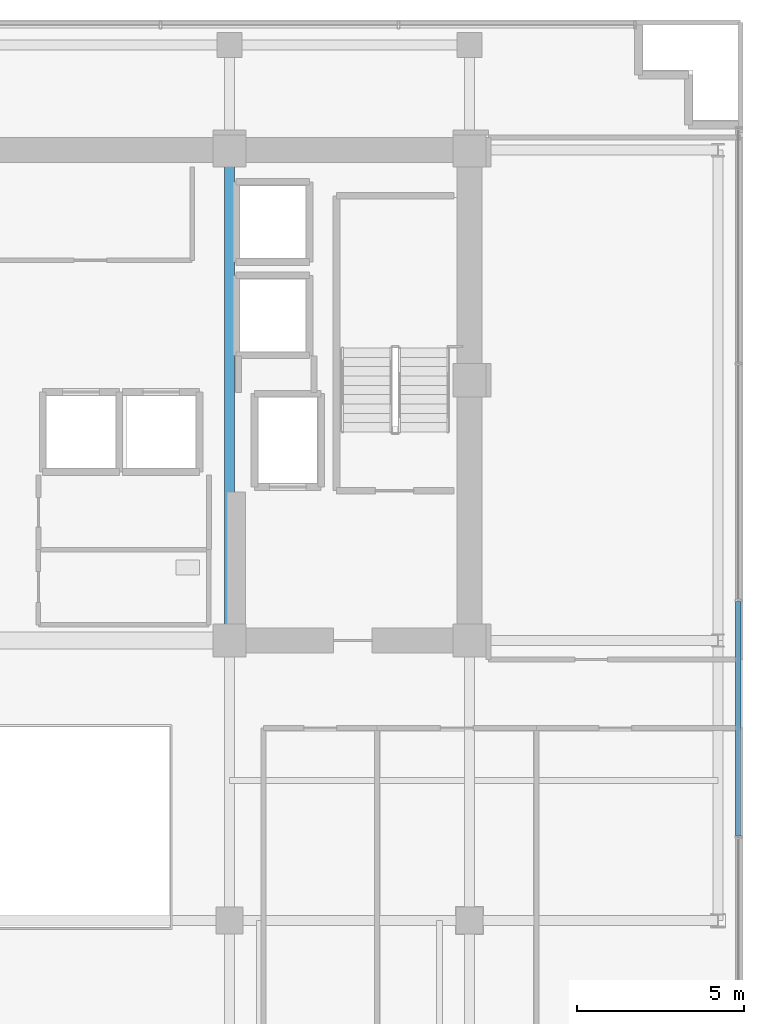
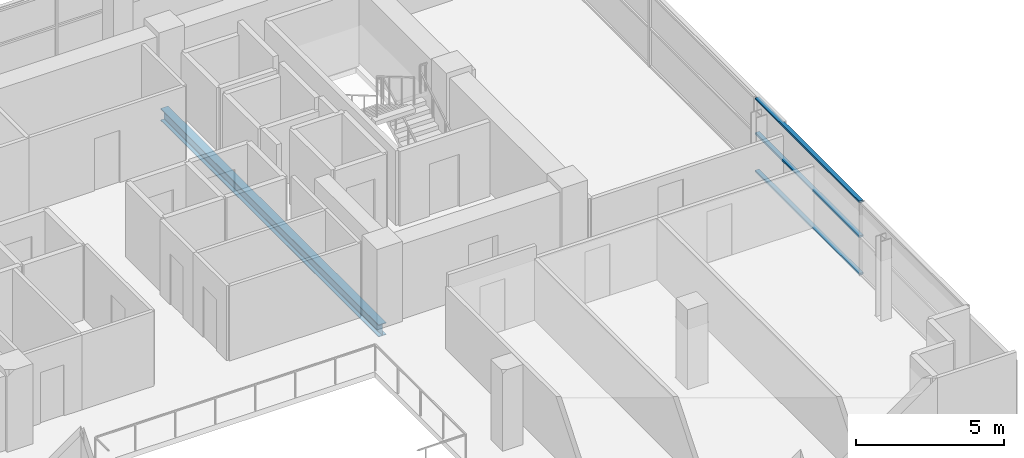
# One storey, part 7 of 21: 3 members, 1 beam, 1 element without a shape of its own.
"""IFC4 building model written with IfcOpenShell, lengths in metres."""

from ifc_helpers import new_model, si_unit, direction, frame, origin, origin_2d, place, context, subcontext, project, spatial, hollow_rectangle, i_section, extrude, source, transform, mapped, material, layer, layer_set, material_profile, profile_set, type_object, element, aggregate, save


model = new_model("IFC4")

# Units and contexts
model_context = context("Model", 3, precision=1e-05, world=origin(), true_north=direction((0.0, 1.0)))
body_context = subcontext(model_context, "Body", "Model", "MODEL_VIEW")
ifc_project = project(units=[si_unit("LENGTHUNIT", "METRE"), si_unit("AREAUNIT", "SQUARE_METRE"), si_unit("VOLUMEUNIT", "CUBIC_METRE"), si_unit("PLANEANGLEUNIT", "RADIAN"), si_unit("MASSUNIT", "GRAM", prefix="KILO")], contexts=[model_context])

# Site, building, storey
site_placement = place(None, origin())
site = spatial("IfcSite", under=ifc_project, at=site_placement, CompositionType="ELEMENT")
building_placement = place(site_placement, origin())
building = spatial("IfcBuilding", under=site, at=building_placement, Name="Zarnakvel Exchange Tower", CompositionType="ELEMENT")
storey_placement = place(building_placement, frame((0.0, 0.0, 152.800048828125)))
storey = spatial("IfcBuildingStorey", under=building, at=storey_placement, Name="L42", CompositionType="ELEMENT", Elevation=152.800048828125)

# Beam
ifc_material_1 = material(Name="Steel S355", Category="steel")
ifc_material_profile_1 = material_profile(ifc_material_1, i_section(OverallWidth=0.300048828125, OverallDepth=0.5, WebThickness=0.014404296875, FlangeThickness=0.028076171875, FilletRadius=0.027099609375, at=origin_2d()))
ifc_profile_set_1 = profile_set([ifc_material_profile_1], Name="Steel S355")
beam_type = type_object("IfcBeamType", Name="G-06", PredefinedType="BEAM", material=ifc_profile_set_1)
beam_placement = place(storey_placement, frame((7.199951171875, -1.199951171875, -0.47509765625), z_axis=(0.0, 1.0, 0.0), x_axis=(-1.0, 0.0, 0.0)))
element("IfcBeam", 1, at=beam_placement, inside=storey, type_object=beam_type, Name="L42 Tower N-S Frame Beam", PredefinedType="BEAM", context=body_context, shape_type="SweptSolid", body=[
    extrude(i_section(OverallWidth=0.300048828125, OverallDepth=0.5, WebThickness=0.014404296875, FlangeThickness=0.028076171875, FilletRadius=0.027099609375, at=origin_2d()), origin(), (0.0, 0.0, 1.0), 14.699951171875),
])

# Curtain wall, members
ifc_material_2 = material(Name="Architectural Bronze Anodised Aluminium", Category="aluminium")
ifc_layer = layer(ifc_material_2, 0.199951171875)
ifc_layer_set = layer_set([ifc_layer], Name="Architectural Bronze Anodised Aluminium")
curtain_wall_type = type_object("IfcCurtainWallType", Name="CW-04", PredefinedType="NOTDEFINED", material=ifc_layer_set)
curtain_wall_placement = place(storey_placement, origin())
curtain_wall = element("IfcCurtainWall", 2, at=curtain_wall_placement, inside=storey, type_object=curtain_wall_type, Name="L42 Curtain Wall CW-L42-E1 (CW-04)", PredefinedType="NOTDEFINED")
ifc_material_profile_2 = material_profile(ifc_material_2, hollow_rectangle(XDim=0.159912109375, YDim=0.074951171875, WallThickness=0.00390625, at=origin_2d()))
ifc_profile_set_2 = profile_set([ifc_material_profile_2], Name="Architectural Bronze Anodised Aluminium")
member_type = type_object("IfcMemberType", Name="CWT-04", PredefinedType="USERDEFINED", material=ifc_profile_set_2)
shared_shape = source(origin(), body_context, "Body", "SweptSolid", [
    extrude(hollow_rectangle(XDim=0.159912109375, YDim=0.074951171875, WallThickness=0.00390625, at=origin_2d()), origin(), (0.0, 0.0, 1.0), 7.02490234375),
])
member_1_placement = place(storey_placement, frame((22.4599609375, -7.0625, 0.037353515625), z_axis=(0.0, 1.0, 0.0), x_axis=(-1.0, 0.0, 0.0)))
member_1 = element("IfcMember", 3, at=member_1_placement, type_object=member_type, Name="CW-04 transom 2.1", ObjectType="TRANSOM", PredefinedType="USERDEFINED", context=body_context, shape_type="MappedRepresentation", body=[
    mapped(shared_shape, transform((0.0, 0.0, 0.0), x_axis=(1.0, 0.0, 0.0), y_axis=(0.0, 1.0, 0.0), z_axis=(0.0, 0.0, 1.0), scale=1.0)),
])
member_2_placement = place(storey_placement, frame((22.4599609375, -7.0625, 1.588623046875), z_axis=(0.0, 1.0, 0.0), x_axis=(-1.0, 0.0, 0.0)))
member_2 = element("IfcMember", 4, at=member_2_placement, type_object=member_type, Name="CW-04 transom 2.2", ObjectType="TRANSOM", PredefinedType="USERDEFINED", context=body_context, shape_type="MappedRepresentation", body=[
    mapped(shared_shape, transform((0.0, 0.0, 0.0), x_axis=(1.0, 0.0, 0.0), y_axis=(0.0, 1.0, 0.0), z_axis=(0.0, 0.0, 1.0), scale=1.0)),
])
member_3_placement = place(storey_placement, frame((22.4599609375, -7.0625, 3.017333984375), z_axis=(0.0, 1.0, 0.0), x_axis=(-1.0, 0.0, 0.0)))
member_3 = element("IfcMember", 5, at=member_3_placement, type_object=member_type, Name="CW-04 transom 2.3", ObjectType="TRANSOM", PredefinedType="USERDEFINED", context=body_context, shape_type="MappedRepresentation", body=[
    mapped(shared_shape, transform((0.0, 0.0, 0.0), x_axis=(1.0, 0.0, 0.0), y_axis=(0.0, 1.0, 0.0), z_axis=(0.0, 0.0, 1.0), scale=1.0)),
])
aggregate(curtain_wall, [member_1, member_2, member_3])

save(model, "model.ifc")
